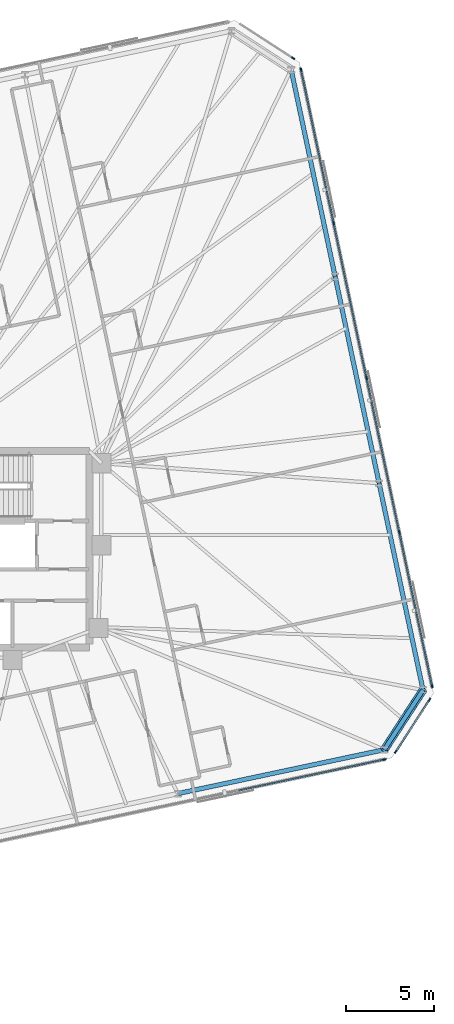
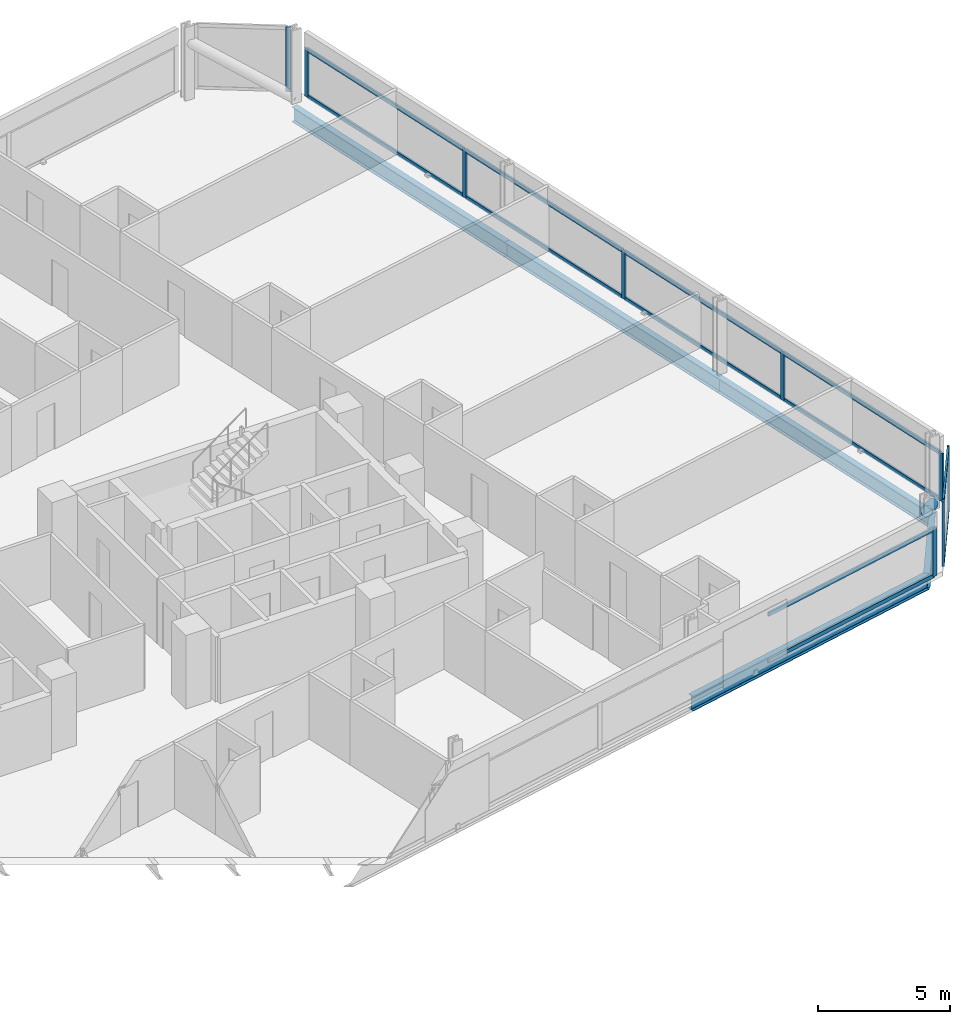
# One storey, part 12 of 20: 22 members, 5 beams, 4 elements without a shape of their own.
"""IFC4 building model written with IfcOpenShell, lengths in metres."""

from ifc_helpers import new_model, si_unit, direction, frame, origin, origin_2d, place, context, subcontext, project, spatial, rectangle, hollow_circle, i_section, extrude, material, material_profile, profile_set, type_object, element, aggregate, save


model = new_model("IFC4")

# Units and contexts
model_context = context("Model", 3, precision=1e-05, world=origin(), true_north=direction((0.0, 1.0)))
body_context = subcontext(model_context, "Body", "Model", "MODEL_VIEW")
ifc_project = project(units=[si_unit("LENGTHUNIT", "METRE"), si_unit("AREAUNIT", "SQUARE_METRE"), si_unit("VOLUMEUNIT", "CUBIC_METRE"), si_unit("PLANEANGLEUNIT", "RADIAN"), si_unit("MASSUNIT", "GRAM", prefix="KILO")], contexts=[model_context])

# Site, building, storey
site_placement = place(None, origin())
site = spatial("IfcSite", under=ifc_project, at=site_placement, CompositionType="ELEMENT")
building_placement = place(site_placement, origin())
building = spatial("IfcBuilding", under=site, at=building_placement, Name="Menara Jurai Vektor", CompositionType="ELEMENT")
storey_placement = place(building_placement, frame((0.0, 0.0, 199.0)))
storey = spatial("IfcBuildingStorey", under=building, at=storey_placement, Name="L52", CompositionType="ELEMENT", Elevation=199.0)

# Curtain wall, member
ifc_material_1 = material(Name="Anodised Pale Aluminium & Low-E Double Glazing", Category="aluminium")
curtain_wall_type = type_object("IfcCurtainWallType", Name="CW-BLK3", PredefinedType="NOTDEFINED", material=ifc_material_1)
curtain_wall_1_placement = place(storey_placement, origin())
curtain_wall_1 = element("IfcCurtainWall", 1, at=curtain_wall_1_placement, inside=storey, type_object=curtain_wall_type, Name="Unitised Curtain Wall L52 F01", PredefinedType="NOTDEFINED")
ifc_material_2 = material(Name="Anodised Pale Aluminium Mullion", Category="aluminium")
ifc_material_profile_1 = material_profile(ifc_material_2, rectangle(XDim=0.0849609375, YDim=0.205078125, at=origin_2d()), Name="ALU MUL 85x205")
ifc_profile_set_1 = profile_set([ifc_material_profile_1], Name="Anodised Pale Aluminium Mullion")
member_type_1 = type_object("IfcMemberType", Name="CW-BLK3-MUL", PredefinedType="MULLION", material=ifc_profile_set_1)
member_1_placement = place(storey_placement, frame((31.392578125, -11.99755859375, 0.0), z_axis=(0.0, 0.0, 1.0), x_axis=(-0.207911344156, 0.978147674419, 0.0)))
member_1 = element("IfcMember", 2, at=member_1_placement, type_object=member_type_1, Name="CW-03 mullion 8", PredefinedType="MULLION", context=body_context, shape_type="SweptSolid", body=[
    extrude(rectangle(XDim=0.0849609375, YDim=0.205078125, at=origin_2d()), origin(), (0.0, 0.0, 1.0), 2.22509765625),
])

# Curtain wall, members
curtain_wall_2_placement = place(storey_placement, origin())
curtain_wall_2 = element("IfcCurtainWall", 3, at=curtain_wall_2_placement, inside=storey, type_object=curtain_wall_type, Name="Unitised Curtain Wall L52 F02", PredefinedType="NOTDEFINED")
member_2_placement = place(storey_placement, frame((32.035888671875, -11.555419921875, 0.0), z_axis=(0.0, 0.0, 1.0), x_axis=(-0.838684361415, 0.544617794346, 0.0)))
member_2 = element("IfcMember", 4, at=member_2_placement, type_object=member_type_1, Name="CW-03 mullion 1", PredefinedType="MULLION", context=body_context, shape_type="SweptSolid", body=[
    extrude(rectangle(XDim=0.0849609375, YDim=0.205078125, at=origin_2d()), origin(), (0.0, 0.0, 1.0), 2.9951171875),
])
member_3_placement = place(storey_placement, frame((33.96337890625, -8.587158203125, 0.0), z_axis=(0.0, 0.0, 1.0), x_axis=(-0.838684361415, 0.544617794346, 0.0)))
member_3 = element("IfcMember", 5, at=member_3_placement, type_object=member_type_1, Name="CW-03 mullion 2", PredefinedType="MULLION", context=body_context, shape_type="SweptSolid", body=[
    extrude(rectangle(XDim=0.0849609375, YDim=0.205078125, at=origin_2d()), origin(), (0.0, 0.0, 1.0), 2.9951171875),
])

curtain_wall_3_placement = place(storey_placement, origin())
curtain_wall_3 = element("IfcCurtainWall", 6, at=curtain_wall_3_placement, inside=storey, type_object=curtain_wall_type, Name="Unitised Curtain Wall L52 F03", PredefinedType="NOTDEFINED")
member_4_placement = place(storey_placement, frame((34.105712890625, -7.819580078125, 0.0), z_axis=(0.0, 0.0, 1.0), x_axis=(-0.978147883949, -0.20791035839, 0.0)))
member_4 = element("IfcMember", 7, at=member_4_placement, type_object=member_type_1, Name="CW-03 mullion 1", PredefinedType="MULLION", context=body_context, shape_type="SweptSolid", body=[
    extrude(rectangle(XDim=0.0849609375, YDim=0.205078125, at=origin_2d()), origin(), (0.0, 0.0, 1.0), 2.22509765625),
])
member_5_placement = place(storey_placement, frame((32.2412109375, 0.951904296875, 0.0), z_axis=(0.0, 0.0, 1.0), x_axis=(-0.978147883949, -0.20791035839, 0.0)))
member_5 = element("IfcMember", 8, at=member_5_placement, type_object=member_type_1, Name="CW-03 mullion 2", PredefinedType="MULLION", context=body_context, shape_type="SweptSolid", body=[
    extrude(rectangle(XDim=0.0849609375, YDim=0.205078125, at=origin_2d()), origin(), (0.0, 0.0, 1.0), 2.22509765625),
])
member_6_placement = place(storey_placement, frame((30.367919921875, 9.76513671875, 0.0), z_axis=(0.0, 0.0, 1.0), x_axis=(-0.978147883949, -0.20791035839, 0.0)))
member_6 = element("IfcMember", 9, at=member_6_placement, type_object=member_type_1, Name="CW-03 mullion 3", PredefinedType="MULLION", context=body_context, shape_type="SweptSolid", body=[
    extrude(rectangle(XDim=0.0849609375, YDim=0.205078125, at=origin_2d()), origin(), (0.0, 0.0, 1.0), 2.22509765625),
])
member_7_placement = place(storey_placement, frame((28.49462890625, 18.578125, 0.0), z_axis=(0.0, 0.0, 1.0), x_axis=(-0.978147883949, -0.20791035839, 0.0)))
member_7 = element("IfcMember", 10, at=member_7_placement, type_object=member_type_1, Name="CW-03 mullion 4", PredefinedType="MULLION", context=body_context, shape_type="SweptSolid", body=[
    extrude(rectangle(XDim=0.0849609375, YDim=0.205078125, at=origin_2d()), origin(), (0.0, 0.0, 1.0), 2.22509765625),
])
member_8_placement = place(storey_placement, frame((26.630126953125, 27.349609375, 0.0), z_axis=(0.0, 0.0, 1.0), x_axis=(-0.978147883949, -0.20791035839, 0.0)))
member_8 = element("IfcMember", 11, at=member_8_placement, type_object=member_type_1, Name="CW-03 mullion 5", PredefinedType="MULLION", context=body_context, shape_type="SweptSolid", body=[
    extrude(rectangle(XDim=0.0849609375, YDim=0.205078125, at=origin_2d()), origin(), (0.0, 0.0, 1.0), 2.22509765625),
])

# Curtain wall, member
curtain_wall_4_placement = place(storey_placement, origin())
curtain_wall_4 = element("IfcCurtainWall", 12, at=curtain_wall_4_placement, inside=storey, type_object=curtain_wall_type, Name="Unitised Curtain Wall L52 F04", PredefinedType="NOTDEFINED")
member_9_placement = place(storey_placement, frame((26.18798828125, 27.9931640625, 0.0), z_axis=(0.0, 0.0, 1.0), x_axis=(-0.544617794346, -0.838684361415, 0.0)))
member_9 = element("IfcMember", 13, at=member_9_placement, type_object=member_type_1, Name="CW-03 mullion 1", PredefinedType="MULLION", context=body_context, shape_type="SweptSolid", body=[
    extrude(rectangle(XDim=0.0849609375, YDim=0.205078125, at=origin_2d()), origin(), (0.0, 0.0, 1.0), 2.9951171875),
])
aggregate(curtain_wall_4, [member_9])

# Member
ifc_material_3 = material(Name="Anodised Pale Aluminium Transom", Category="aluminium")
ifc_material_profile_2 = material_profile(ifc_material_3, rectangle(XDim=0.0849609375, YDim=0.175048828125, at=origin_2d()), Name="ALU TRN 85x175")
ifc_profile_set_2 = profile_set([ifc_material_profile_2], Name="Anodised Pale Aluminium Transom")
member_type_2 = type_object("IfcMemberType", Name="CW-BLK3-TRN", PredefinedType="USERDEFINED", material=ifc_profile_set_2)
member_10_placement = place(storey_placement, frame((23.0859375, -13.76318359375, 0.04248046875), z_axis=(0.978146953428, 0.207914736128, 0.0), x_axis=(-0.207914736128, 0.978146953428, 0.0)))
member_10 = element("IfcMember", 14, at=member_10_placement, type_object=member_type_2, Name="CW-03 transom 7.1", ObjectType="TRANSOM", PredefinedType="USERDEFINED", context=body_context, shape_type="SweptSolid", body=[
    extrude(rectangle(XDim=0.0849609375, YDim=0.175048828125, at=origin_2d()), origin(), (0.0, 0.0, 1.0), 8.44970703125),
])

member_11_placement = place(storey_placement, frame((23.0859375, -13.76318359375, 2.1826171875), z_axis=(0.978146953428, 0.207914736128, 0.0), x_axis=(-0.207914736128, 0.978146953428, 0.0)))
member_11 = element("IfcMember", 15, at=member_11_placement, type_object=member_type_2, Name="CW-03 transom 7.2", ObjectType="TRANSOM", PredefinedType="USERDEFINED", context=body_context, shape_type="SweptSolid", body=[
    extrude(rectangle(XDim=0.0849609375, YDim=0.175048828125, at=origin_2d()), origin(), (0.0, 0.0, 1.0), 8.44970703125),
])

aggregate(curtain_wall_1, [member_1, member_10, member_11])

member_12_placement = place(storey_placement, frame((32.05908203125, -11.519775390625, 0.04248046875), z_axis=(0.54459575764, 0.838698671014, 0.0), x_axis=(-0.838698671014, 0.54459575764, 0.0)))
member_12 = element("IfcMember", 16, at=member_12_placement, type_object=member_type_2, Name="CW-03 transom 1.1", ObjectType="TRANSOM", PredefinedType="USERDEFINED", context=body_context, shape_type="SweptSolid", body=[
    extrude(rectangle(XDim=0.0849609375, YDim=0.175048828125, at=origin_2d()), origin(), (0.0, 0.0, 1.0), 3.4541015625),
])

member_13_placement = place(storey_placement, frame((32.05908203125, -11.519775390625, 2.952392578125), z_axis=(0.54459575764, 0.838698671014, 0.0), x_axis=(-0.838698671014, 0.54459575764, 0.0)))
member_13 = element("IfcMember", 17, at=member_13_placement, type_object=member_type_2, Name="CW-03 transom 1.2", ObjectType="TRANSOM", PredefinedType="USERDEFINED", context=body_context, shape_type="SweptSolid", body=[
    extrude(rectangle(XDim=0.0849609375, YDim=0.175048828125, at=origin_2d()), origin(), (0.0, 0.0, 1.0), 3.4541015625),
])

aggregate(curtain_wall_2, [member_2, member_3, member_12, member_13])

member_14_placement = place(storey_placement, frame((34.096923828125, -7.778076171875, 0.04248046875), z_axis=(-0.207925814542, 0.978144598537, 0.0), x_axis=(-0.978144598537, -0.207925814542, 0.0)))
member_14 = element("IfcMember", 18, at=member_14_placement, type_object=member_type_2, Name="CW-03 transom 1.1", ObjectType="TRANSOM", PredefinedType="USERDEFINED", context=body_context, shape_type="SweptSolid", body=[
    extrude(rectangle(XDim=0.0849609375, YDim=0.175048828125, at=origin_2d()), origin(), (0.0, 0.0, 1.0), 8.882568359375),
])

member_15_placement = place(storey_placement, frame((34.096923828125, -7.778076171875, 2.1826171875), z_axis=(-0.207925814542, 0.978144598537, 0.0), x_axis=(-0.978144598537, -0.207925814542, 0.0)))
member_15 = element("IfcMember", 19, at=member_15_placement, type_object=member_type_2, Name="CW-03 transom 1.2", ObjectType="TRANSOM", PredefinedType="USERDEFINED", context=body_context, shape_type="SweptSolid", body=[
    extrude(rectangle(XDim=0.0849609375, YDim=0.175048828125, at=origin_2d()), origin(), (0.0, 0.0, 1.0), 8.882568359375),
])

member_16_placement = place(storey_placement, frame((32.232421875, 0.993408203125, 0.04248046875), z_axis=(-0.207922224243, 0.978145361726, 0.0), x_axis=(-0.978145361726, -0.207922224243, 0.0)))
member_16 = element("IfcMember", 20, at=member_16_placement, type_object=member_type_2, Name="CW-03 transom 2.1", ObjectType="TRANSOM", PredefinedType="USERDEFINED", context=body_context, shape_type="SweptSolid", body=[
    extrude(rectangle(XDim=0.0849609375, YDim=0.175048828125, at=origin_2d()), origin(), (0.0, 0.0, 1.0), 8.925048828125),
])

member_17_placement = place(storey_placement, frame((32.232421875, 0.993408203125, 2.1826171875), z_axis=(-0.207922224243, 0.978145361726, 0.0), x_axis=(-0.978145361726, -0.207922224243, 0.0)))
member_17 = element("IfcMember", 21, at=member_17_placement, type_object=member_type_2, Name="CW-03 transom 2.2", ObjectType="TRANSOM", PredefinedType="USERDEFINED", context=body_context, shape_type="SweptSolid", body=[
    extrude(rectangle(XDim=0.0849609375, YDim=0.175048828125, at=origin_2d()), origin(), (0.0, 0.0, 1.0), 8.925048828125),
])

member_18_placement = place(storey_placement, frame((30.359130859375, 9.806640625, 0.04248046875), z_axis=(-0.207922224243, 0.978145361726, 0.0), x_axis=(-0.978145361726, -0.207922224243, 0.0)))
member_18 = element("IfcMember", 22, at=member_18_placement, type_object=member_type_2, Name="CW-03 transom 3.1", ObjectType="TRANSOM", PredefinedType="USERDEFINED", context=body_context, shape_type="SweptSolid", body=[
    extrude(rectangle(XDim=0.0849609375, YDim=0.175048828125, at=origin_2d()), origin(), (0.0, 0.0, 1.0), 8.925048828125),
])

member_19_placement = place(storey_placement, frame((30.359130859375, 9.806640625, 2.1826171875), z_axis=(-0.207922224243, 0.978145361726, 0.0), x_axis=(-0.978145361726, -0.207922224243, 0.0)))
member_19 = element("IfcMember", 23, at=member_19_placement, type_object=member_type_2, Name="CW-03 transom 3.2", ObjectType="TRANSOM", PredefinedType="USERDEFINED", context=body_context, shape_type="SweptSolid", body=[
    extrude(rectangle(XDim=0.0849609375, YDim=0.175048828125, at=origin_2d()), origin(), (0.0, 0.0, 1.0), 8.925048828125),
])

member_20_placement = place(storey_placement, frame((28.48583984375, 18.61962890625, 0.04248046875), z_axis=(-0.207899517354, 0.978150188204, 0.0), x_axis=(-0.978150188204, -0.207899517354, 0.0)))
member_20 = element("IfcMember", 24, at=member_20_placement, type_object=member_type_2, Name="CW-03 transom 4.1", ObjectType="TRANSOM", PredefinedType="USERDEFINED", context=body_context, shape_type="SweptSolid", body=[
    extrude(rectangle(XDim=0.0849609375, YDim=0.175048828125, at=origin_2d()), origin(), (0.0, 0.0, 1.0), 8.882568359375),
])

member_21_placement = place(storey_placement, frame((28.48583984375, 18.61962890625, 2.1826171875), z_axis=(-0.207899517354, 0.978150188204, 0.0), x_axis=(-0.978150188204, -0.207899517354, 0.0)))
member_21 = element("IfcMember", 25, at=member_21_placement, type_object=member_type_2, Name="CW-03 transom 4.2", ObjectType="TRANSOM", PredefinedType="USERDEFINED", context=body_context, shape_type="SweptSolid", body=[
    extrude(rectangle(XDim=0.0849609375, YDim=0.175048828125, at=origin_2d()), origin(), (0.0, 0.0, 1.0), 8.882568359375),
])

aggregate(curtain_wall_3, [member_4, member_5, member_6, member_7, member_8, member_14, member_15, member_16, member_17, member_18, member_19, member_20, member_21])

ifc_material_4 = material(Name="Steel S460", Category="steel")
ifc_material_profile_3 = material_profile(ifc_material_4, hollow_circle(Radius=0.228515625, WallThickness=0.01611328125, at=origin_2d()), Name="CHS 457x16")
ifc_profile_set_3 = profile_set([ifc_material_profile_3], Name="Steel S460")
member_type_3 = type_object("IfcMemberType", Name="STR-BR-457", PredefinedType="BRACE", material=ifc_profile_set_3)
member_22_placement = place(storey_placement, frame((33.588623046875, -8.031982421875, 0.14990234375), z_axis=(-0.464088387192, -0.714620321659, 0.5233925532), x_axis=(0.838665998507, -0.544646071268, 0.0)))
element("IfcMember", 26, at=member_22_placement, inside=storey, type_object=member_type_3, Name="Exoskeleton Corner Brace L52-1", PredefinedType="BRACE", context=body_context, shape_type="SweptSolid", body=[
    extrude(hollow_circle(Radius=0.228515625, WallThickness=0.01611328125, at=origin_2d()), origin(), (0.0, 0.0, 1.0), 4.76708984375),
])

# Beams
ifc_material_profile_4 = material_profile(ifc_material_4, i_section(OverallWidth=0.256103515625, OverallDepth=0.693115234375, WebThickness=0.013916015625, FlangeThickness=0.02392578125, FilletRadius=0.014892578125, at=origin_2d()), Name="UKB 686x254x170")
ifc_profile_set_4 = profile_set([ifc_material_profile_4], Name="Steel S460")
beam_type = type_object("IfcBeamType", Name="STR-SP-686", PredefinedType="SPANDREL", material=ifc_profile_set_4)
beam_1_placement = place(storey_placement, frame((19.608154296875, -13.940185546875, -0.571533203125), z_axis=(0.97814616202, 0.207918459318, 0.0), x_axis=(-0.207918459318, 0.97814616202, 0.0)))
element("IfcBeam", 27, at=beam_1_placement, inside=storey, type_object=beam_type, Name="Exoskeleton Spandrel Beam L52-05", PredefinedType="SPANDREL", context=body_context, shape_type="SweptSolid", body=[
    extrude(i_section(OverallWidth=0.256103515625, OverallDepth=0.693115234375, WebThickness=0.013916015625, FlangeThickness=0.02392578125, FilletRadius=0.014892578125, at=origin_2d()), origin(), (0.0, 0.0, 1.0), 12.031005859375),
])
beam_2_placement = place(storey_placement, frame((31.376220703125, -11.438720703125, -0.571533203125), z_axis=(0.544646071268, 0.838665998507, 0.0), x_axis=(-0.838665998507, 0.544646071268, 0.0)))
element("IfcBeam", 28, at=beam_2_placement, inside=storey, type_object=beam_type, Name="Exoskeleton Spandrel Beam L52-06", PredefinedType="SPANDREL", context=body_context, shape_type="SweptSolid", body=[
    extrude(i_section(OverallWidth=0.256103515625, OverallDepth=0.693115234375, WebThickness=0.013916015625, FlangeThickness=0.02392578125, FilletRadius=0.014892578125, at=origin_2d()), origin(), (0.0, 0.0, 1.0), 4.06201171875),
])
beam_3_placement = place(storey_placement, frame((33.588623046875, -8.031982421875, -0.571533203125), z_axis=(-0.207925382659, 0.978144690343, 0.0), x_axis=(-0.978144690343, -0.207925382659, 0.0)))
element("IfcBeam", 29, at=beam_3_placement, inside=storey, type_object=beam_type, Name="Exoskeleton Spandrel Beam L52-07", PredefinedType="SPANDREL", context=body_context, shape_type="SweptSolid", body=[
    extrude(i_section(OverallWidth=0.256103515625, OverallDepth=0.693115234375, WebThickness=0.013916015625, FlangeThickness=0.02392578125, FilletRadius=0.014892578125, at=origin_2d()), origin(), (0.0, 0.0, 1.0), 12.0517578125),
])
for number, where, z_axis, x_axis, name in (
    (30, (31.082763671875, 3.75634765625, -0.571533203125), (-0.207901880993, 0.978149685825, 0.0), (-0.978149685825, -0.207901880993, 0.0), "Exoskeleton Spandrel Beam L52-08"),
    (31, (28.5771484375, 15.544921875, -0.571533203125), (-0.207921262698, 0.978145566119, 0.0), (-0.978145566119, -0.207921262698, 0.0), "Exoskeleton Spandrel Beam L52-09"),
):
    element("IfcBeam", number, at=place(storey_placement, frame(where, z_axis=z_axis, x_axis=x_axis)), inside=storey, type_object=beam_type, Name=name, PredefinedType="SPANDREL", context=body_context, shape_type="SweptSolid", body=[
        extrude(i_section(OverallWidth=0.256103515625, OverallDepth=0.693115234375, WebThickness=0.013916015625, FlangeThickness=0.02392578125, FilletRadius=0.014892578125, at=origin_2d()), origin(), (0.0, 0.0, 1.0), 12.052001953125),
    ])

save(model, "model.ifc")
